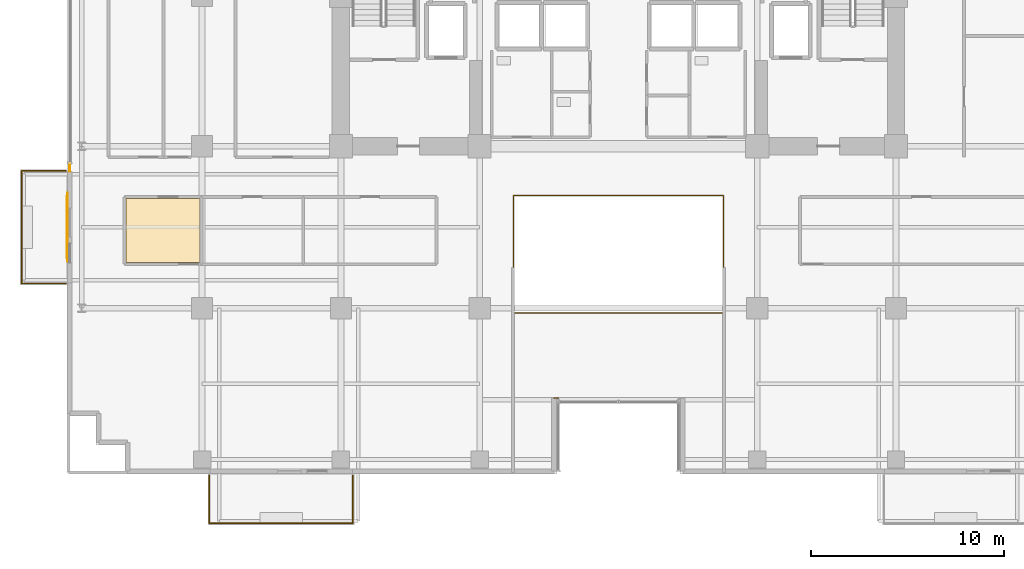
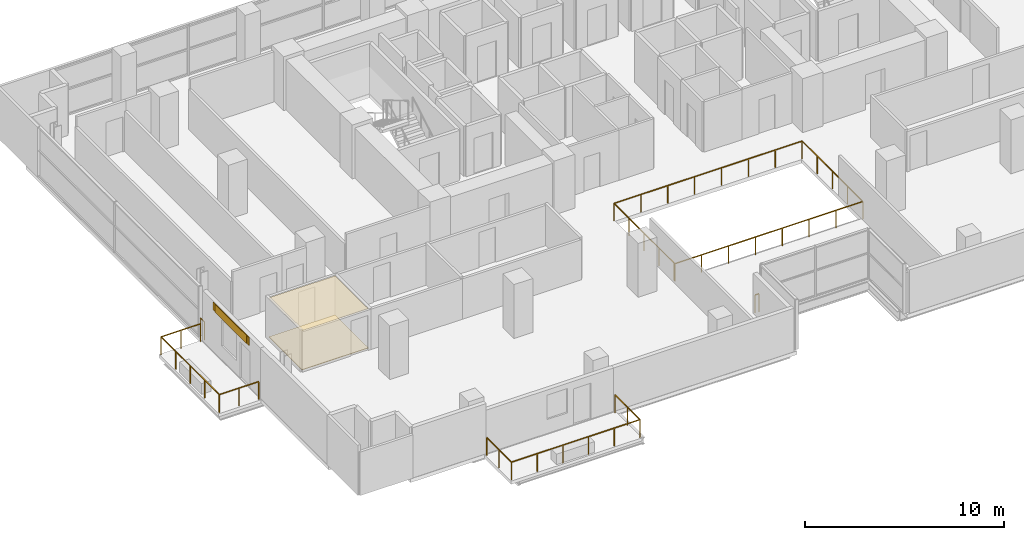
# One storey, part 28 of 31: 5 railings, 3 coverings, 1 shading device.
"""IFC4 building model written with IfcOpenShell, lengths in metres."""

from ifc_helpers import new_model, si_unit, direction, frame, origin, origin_2d, place, context, subcontext, project, spatial, polyline, rectangle, outline, extrude, source, transform, mapped, material, layer, layer_set, type_object, element, save


model = new_model("IFC4")

# Units and contexts
model_context = context("Model", 3, precision=1e-05, world=origin(), true_north=direction((0.0, 1.0)))
body_context = subcontext(model_context, "Body", "Model", "MODEL_VIEW")
ifc_project = project(units=[si_unit("LENGTHUNIT", "METRE"), si_unit("AREAUNIT", "SQUARE_METRE"), si_unit("VOLUMEUNIT", "CUBIC_METRE"), si_unit("PLANEANGLEUNIT", "RADIAN"), si_unit("MASSUNIT", "GRAM", prefix="KILO")], contexts=[model_context])

# Site, building, storey
site_placement = place(None, origin())
site = spatial("IfcSite", under=ifc_project, at=site_placement, CompositionType="ELEMENT")
building_placement = place(site_placement, origin())
building = spatial("IfcBuilding", under=site, at=building_placement, Name="Zarnakvel Exchange Tower", CompositionType="ELEMENT")
storey_placement = place(building_placement, frame((0.0, 0.0, 67.0)))
storey = spatial("IfcBuildingStorey", under=building, at=storey_placement, Name="L18", CompositionType="ELEMENT", Elevation=67.0)

# Coverings
ifc_material_1 = material(Name="Perforated Bronze Acoustic Metal Ceiling", Category="aluminium")
ifc_layer_1 = layer(ifc_material_1, 0.02001953125)
ifc_layer_set_1 = layer_set([ifc_layer_1], Name="Perforated Bronze Acoustic Metal Ceiling")
covering_type_1 = type_object("IfcCoveringType", Name="CLG-01", PredefinedType="CEILING", material=ifc_layer_set_1)
covering_1_placement = place(storey_placement, frame((0.0, 0.0, 2.405029296875)))
element("IfcCovering", 1, at=covering_1_placement, inside=storey, type_object=covering_type_1, Name="L18 Suspended Acoustic Ceiling (Asset Management Office)", PredefinedType="CEILING", context=body_context, shape_type="SweptSolid", body=[
    extrude(outline(polyline([(-25.54833984375, -3.909912109375), (-21.710205078125, -3.909912109375), (-21.710205078125, -7.239990234375), (-25.54833984375, -7.239990234375), (-25.54833984375, -3.909912109375)])), origin(), (0.0, 0.0, 1.0), 0.02001953125),
])
ifc_material_2 = material(Name="Heavy-Duty Raised Access Floor Panel", Category="steel")
ifc_layer_2 = layer(ifc_material_2, 0.034912109375)
ifc_layer_set_2 = layer_set([ifc_layer_2], Name="Heavy-Duty Raised Access Floor Panel")
covering_type_2 = type_object("IfcCoveringType", Name="FLR-02", PredefinedType="FLOORING", material=ifc_layer_set_2)
covering_2_placement = place(storey_placement, origin())
element("IfcCovering", 2, at=covering_2_placement, inside=storey, type_object=covering_type_2, Name="L18 Floor Finish (Asset Management Office)", PredefinedType="FLOORING", context=body_context, shape_type="SweptSolid", body=[
    extrude(outline(polyline([(-25.54833984375, -3.909912109375), (-21.710205078125, -3.909912109375), (-21.710205078125, -7.239990234375), (-25.54833984375, -7.239990234375), (-25.54833984375, -3.909912109375)])), origin(), (0.0, 0.0, 1.0), 0.034912109375),
])

# Railings
ifc_material_3 = material(Name="Architectural Bronze Anodised Aluminium", Category="aluminium")
railing_type_1 = type_object("IfcRailingType", Name="GR-02", PredefinedType="GUARDRAIL", material=ifc_material_3)
railing_1_placement = place(storey_placement, frame((-21.219970703125, -18.280029296875, -0.034912109375)))
element("IfcRailing", 3, at=railing_1_placement, inside=storey, type_object=railing_type_1, Name="L18 Balcony Guardrail BAL-L18-SW", PredefinedType="GUARDRAIL", context=body_context, shape_type="SweptSolid", body=[
    extrude(rectangle(XDim=0.048095703125, YDim=0.048095703125, at=origin_2d()), frame((0.0, 0.0, 1.09619140625), z_axis=(0.0, -1.0, 0.0), x_axis=(1.0, 0.0, 0.0)), (0.0, 0.0, 1.0), 2.489990234375),
    extrude(rectangle(XDim=0.048095703125, YDim=0.048095703125, at=origin_2d()), frame((0.0, -2.489990234375, 1.09619140625), z_axis=(1.0, 0.0, 0.0), x_axis=(0.0, 1.0, 0.0)), (0.0, 0.0, 1.0), 7.43994140625),
    extrude(rectangle(XDim=0.048095703125, YDim=0.048095703125, at=origin_2d()), frame((7.43994140625, -2.489990234375, 1.09619140625), z_axis=(0.0, 1.0, 0.0), x_axis=(-1.0, 0.0, 0.0)), (0.0, 0.0, 1.0), 2.489990234375),
    extrude(rectangle(XDim=0.0419921875, YDim=0.0419921875, at=origin_2d()), origin(), (0.0, 0.0, 1.0), 1.072021484375),
    extrude(rectangle(XDim=0.0419921875, YDim=0.0419921875, at=origin_2d()), frame((0.0, -1.2451171875, 0.0)), (0.0, 0.0, 1.0), 1.072021484375),
    extrude(rectangle(XDim=0.0419921875, YDim=0.0419921875, at=origin_2d()), frame((0.0, -2.489990234375, 0.0)), (0.0, 0.0, 1.0), 1.072021484375),
    extrude(rectangle(XDim=0.0419921875, YDim=0.0419921875, at=origin_2d()), frame((1.488037109375, -2.489990234375, 0.0)), (0.0, 0.0, 1.0), 1.072021484375),
    extrude(rectangle(XDim=0.0419921875, YDim=0.0419921875, at=origin_2d()), frame((2.97607421875, -2.489990234375, 0.0)), (0.0, 0.0, 1.0), 1.072021484375),
    extrude(rectangle(XDim=0.0419921875, YDim=0.0419921875, at=origin_2d()), frame((4.4638671875, -2.489990234375, 0.0)), (0.0, 0.0, 1.0), 1.072021484375),
    extrude(rectangle(XDim=0.0419921875, YDim=0.0419921875, at=origin_2d()), frame((5.951904296875, -2.489990234375, 0.0)), (0.0, 0.0, 1.0), 1.072021484375),
    extrude(rectangle(XDim=0.0419921875, YDim=0.0419921875, at=origin_2d()), frame((7.43994140625, -2.489990234375, 0.0)), (0.0, 0.0, 1.0), 1.072021484375),
    extrude(rectangle(XDim=0.0419921875, YDim=0.0419921875, at=origin_2d()), frame((7.43994140625, -1.2451171875, 0.0)), (0.0, 0.0, 1.0), 1.072021484375),
    extrude(rectangle(XDim=0.0419921875, YDim=0.0419921875, at=origin_2d()), frame((7.43994140625, 0.0, 0.0)), (0.0, 0.0, 1.0), 1.072021484375),
])
railing_2_placement = place(storey_placement, frame((-28.679931640625, -8.320068359375, -0.034912109375)))
element("IfcRailing", 4, at=railing_2_placement, inside=storey, type_object=railing_type_1, Name="L18 Balcony Guardrail BAL-L18-W", PredefinedType="GUARDRAIL", context=body_context, shape_type="SweptSolid", body=[
    extrude(rectangle(XDim=0.048095703125, YDim=0.048095703125, at=origin_2d()), frame((0.0, 0.0, 1.09619140625), z_axis=(-1.0, 0.0, 0.0), x_axis=(0.0, -1.0, 0.0)), (0.0, 0.0, 1.0), 2.2900390625),
    extrude(rectangle(XDim=0.048095703125, YDim=0.048095703125, at=origin_2d()), frame((-2.2900390625, 0.0, 1.09619140625), z_axis=(0.0, 1.0, 0.0), x_axis=(-1.0, 0.0, 0.0)), (0.0, 0.0, 1.0), 5.840087890625),
    extrude(rectangle(XDim=0.048095703125, YDim=0.048095703125, at=origin_2d()), frame((-2.2900390625, 5.840087890625, 1.09619140625), z_axis=(1.0, 0.0, 0.0), x_axis=(0.0, 1.0, 0.0)), (0.0, 0.0, 1.0), 2.2900390625),
    extrude(rectangle(XDim=0.0419921875, YDim=0.0419921875, at=origin_2d()), origin(), (0.0, 0.0, 1.0), 1.072021484375),
    extrude(rectangle(XDim=0.0419921875, YDim=0.0419921875, at=origin_2d()), frame((-1.14501953125, 0.0, 0.0)), (0.0, 0.0, 1.0), 1.072021484375),
    extrude(rectangle(XDim=0.0419921875, YDim=0.0419921875, at=origin_2d()), frame((-2.2900390625, 0.0, 0.0)), (0.0, 0.0, 1.0), 1.072021484375),
    extrude(rectangle(XDim=0.0419921875, YDim=0.0419921875, at=origin_2d()), frame((-2.2900390625, 1.4599609375, 0.0)), (0.0, 0.0, 1.0), 1.072021484375),
    extrude(rectangle(XDim=0.0419921875, YDim=0.0419921875, at=origin_2d()), frame((-2.2900390625, 2.919921875, 0.0)), (0.0, 0.0, 1.0), 1.072021484375),
    extrude(rectangle(XDim=0.0419921875, YDim=0.0419921875, at=origin_2d()), frame((-2.2900390625, 4.380126953125, 0.0)), (0.0, 0.0, 1.0), 1.072021484375),
    extrude(rectangle(XDim=0.0419921875, YDim=0.0419921875, at=origin_2d()), frame((-2.2900390625, 5.840087890625, 0.0)), (0.0, 0.0, 1.0), 1.072021484375),
    extrude(rectangle(XDim=0.0419921875, YDim=0.0419921875, at=origin_2d()), frame((-1.14501953125, 5.840087890625, 0.0)), (0.0, 0.0, 1.0), 1.072021484375),
    extrude(rectangle(XDim=0.0419921875, YDim=0.0419921875, at=origin_2d()), frame((0.0, 5.840087890625, 0.0)), (0.0, 0.0, 1.0), 1.072021484375),
])
railing_3_placement = place(storey_placement, frame((-28.4599609375, -2.5, 0.0)))
element("IfcRailing", 5, at=railing_3_placement, inside=storey, type_object=railing_type_1, Name="L18 Corner Spandrel Balustrade #2", PredefinedType="GUARDRAIL", context=body_context, shape_type="SweptSolid", body=[
    extrude(rectangle(XDim=0.048095703125, YDim=0.048095703125, at=origin_2d()), frame((0.0, 0.0, 1.09619140625), z_axis=(0.0, 1.0, 0.0), x_axis=(-1.0, 0.0, 0.0)), (0.0, 0.0, 1.0), 0.39990234375),
    extrude(rectangle(XDim=0.0419921875, YDim=0.0419921875, at=origin_2d()), origin(), (0.0, 0.0, 1.0), 1.072021484375),
    extrude(rectangle(XDim=0.0419921875, YDim=0.0419921875, at=origin_2d()), frame((0.0, 0.39990234375, 0.0)), (0.0, 0.0, 1.0), 1.072021484375),
])
railing_4_placement = place(storey_placement, frame((-3.1201171875, -14.260009765625, 0.0)))
element("IfcRailing", 6, at=railing_4_placement, inside=storey, type_object=railing_type_1, Name="L18 Corner Spandrel Balustrade #19", PredefinedType="GUARDRAIL", context=body_context, shape_type="SweptSolid", body=[
    extrude(rectangle(XDim=0.048095703125, YDim=0.048095703125, at=origin_2d()), frame((0.0, 0.0, 1.09619140625), z_axis=(-1.0, 0.0, 0.0), x_axis=(0.0, -1.0, 0.0)), (0.0, 0.0, 1.0), 0.219970703125),
    extrude(rectangle(XDim=0.0419921875, YDim=0.0419921875, at=origin_2d()), origin(), (0.0, 0.0, 1.0), 1.072021484375),
    extrude(rectangle(XDim=0.0419921875, YDim=0.0419921875, at=origin_2d()), frame((-0.219970703125, 0.0, 0.0)), (0.0, 0.0, 1.0), 1.072021484375),
])
railing_type_2 = type_object("IfcRailingType", Name="GR-03", PredefinedType="GUARDRAIL", material=ifc_material_3)
railing_5_placement = place(storey_placement, frame((-5.449951171875, -9.85009765625, 0.0)))
element("IfcRailing", 7, at=railing_5_placement, inside=storey, type_object=railing_type_2, Name="L18 Atrium Void Perimeter Balustrade", PredefinedType="GUARDRAIL", context=body_context, shape_type="SweptSolid", body=[
    extrude(rectangle(XDim=0.048095703125, YDim=0.048095703125, at=origin_2d()), frame((0.0, 0.0, 1.076171875), z_axis=(1.0, 0.0, 0.0), x_axis=(0.0, 1.0, 0.0)), (0.0, 0.0, 1.0), 10.89990234375),
    extrude(rectangle(XDim=0.048095703125, YDim=0.048095703125, at=origin_2d()), frame((10.89990234375, 0.0, 1.076171875), z_axis=(0.0, 1.0, 0.0), x_axis=(-1.0, 0.0, 0.0)), (0.0, 0.0, 1.0), 6.10009765625),
    extrude(rectangle(XDim=0.048095703125, YDim=0.048095703125, at=origin_2d()), frame((10.89990234375, 6.10009765625, 1.076171875), z_axis=(-1.0, 0.0, 0.0), x_axis=(0.0, -1.0, 0.0)), (0.0, 0.0, 1.0), 10.89990234375),
    extrude(rectangle(XDim=0.048095703125, YDim=0.048095703125, at=origin_2d()), frame((0.0, 6.10009765625, 1.076171875), z_axis=(0.0, -1.0, 0.0), x_axis=(1.0, 0.0, 0.0)), (0.0, 0.0, 1.0), 6.02001953125),
    extrude(rectangle(XDim=0.0419921875, YDim=0.0419921875, at=origin_2d()), origin(), (0.0, 0.0, 1.0), 1.052001953125),
    extrude(rectangle(XDim=0.0419921875, YDim=0.0419921875, at=origin_2d()), frame((1.55712890625, 0.0, 0.0)), (0.0, 0.0, 1.0), 1.052001953125),
    extrude(rectangle(XDim=0.0419921875, YDim=0.0419921875, at=origin_2d()), frame((3.1142578125, 0.0, 0.0)), (0.0, 0.0, 1.0), 1.052001953125),
    extrude(rectangle(XDim=0.0419921875, YDim=0.0419921875, at=origin_2d()), frame((4.67138671875, 0.0, 0.0)), (0.0, 0.0, 1.0), 1.052001953125),
    extrude(rectangle(XDim=0.0419921875, YDim=0.0419921875, at=origin_2d()), frame((6.228515625, 0.0, 0.0)), (0.0, 0.0, 1.0), 1.052001953125),
    extrude(rectangle(XDim=0.0419921875, YDim=0.0419921875, at=origin_2d()), frame((7.78564453125, 0.0, 0.0)), (0.0, 0.0, 1.0), 1.052001953125),
    extrude(rectangle(XDim=0.0419921875, YDim=0.0419921875, at=origin_2d()), frame((9.3427734375, 0.0, 0.0)), (0.0, 0.0, 1.0), 1.052001953125),
    extrude(rectangle(XDim=0.0419921875, YDim=0.0419921875, at=origin_2d()), frame((10.89990234375, 0.0, 0.0)), (0.0, 0.0, 1.0), 1.052001953125),
    extrude(rectangle(XDim=0.0419921875, YDim=0.0419921875, at=origin_2d()), frame((10.89990234375, 1.52490234375, 0.0)), (0.0, 0.0, 1.0), 1.052001953125),
    extrude(rectangle(XDim=0.0419921875, YDim=0.0419921875, at=origin_2d()), frame((10.89990234375, 3.050048828125, 0.0)), (0.0, 0.0, 1.0), 1.052001953125),
    extrude(rectangle(XDim=0.0419921875, YDim=0.0419921875, at=origin_2d()), frame((10.89990234375, 4.5751953125, 0.0)), (0.0, 0.0, 1.0), 1.052001953125),
    extrude(rectangle(XDim=0.0419921875, YDim=0.0419921875, at=origin_2d()), frame((10.89990234375, 6.10009765625, 0.0)), (0.0, 0.0, 1.0), 1.052001953125),
    extrude(rectangle(XDim=0.0419921875, YDim=0.0419921875, at=origin_2d()), frame((9.3427734375, 6.10009765625, 0.0)), (0.0, 0.0, 1.0), 1.052001953125),
    extrude(rectangle(XDim=0.0419921875, YDim=0.0419921875, at=origin_2d()), frame((7.78564453125, 6.10009765625, 0.0)), (0.0, 0.0, 1.0), 1.052001953125),
    extrude(rectangle(XDim=0.0419921875, YDim=0.0419921875, at=origin_2d()), frame((6.228515625, 6.10009765625, 0.0)), (0.0, 0.0, 1.0), 1.052001953125),
    extrude(rectangle(XDim=0.0419921875, YDim=0.0419921875, at=origin_2d()), frame((4.67138671875, 6.10009765625, 0.0)), (0.0, 0.0, 1.0), 1.052001953125),
    extrude(rectangle(XDim=0.0419921875, YDim=0.0419921875, at=origin_2d()), frame((3.1142578125, 6.10009765625, 0.0)), (0.0, 0.0, 1.0), 1.052001953125),
    extrude(rectangle(XDim=0.0419921875, YDim=0.0419921875, at=origin_2d()), frame((1.55712890625, 6.10009765625, 0.0)), (0.0, 0.0, 1.0), 1.052001953125),
    extrude(rectangle(XDim=0.0419921875, YDim=0.0419921875, at=origin_2d()), frame((0.0, 6.10009765625, 0.0)), (0.0, 0.0, 1.0), 1.052001953125),
    extrude(rectangle(XDim=0.0419921875, YDim=0.0419921875, at=origin_2d()), frame((0.0, 4.59521484375, 0.0)), (0.0, 0.0, 1.0), 1.052001953125),
    extrude(rectangle(XDim=0.0419921875, YDim=0.0419921875, at=origin_2d()), frame((0.0, 3.090087890625, 0.0)), (0.0, 0.0, 1.0), 1.052001953125),
    extrude(rectangle(XDim=0.0419921875, YDim=0.0419921875, at=origin_2d()), frame((0.0, 1.5849609375, 0.0)), (0.0, 0.0, 1.0), 1.052001953125),
    extrude(rectangle(XDim=0.0419921875, YDim=0.0419921875, at=origin_2d()), frame((0.0, 0.080078125, 0.0)), (0.0, 0.0, 1.0), 1.052001953125),
])

# Covering
ifc_material_4 = material(Name="Warm Sandstone Terracotta Spandrel Tile", Category="masonry")
ifc_layer_3 = layer(ifc_material_4, 0.031982421875)
ifc_layer_set_3 = layer_set([ifc_layer_3], Name="Warm Sandstone Terracotta Spandrel Tile")
covering_type_3 = type_object("IfcCoveringType", Name="CL-02", PredefinedType="CLADDING", material=ifc_layer_set_3)
shared_shape_1 = source(origin(), body_context, "Body", "SweptSolid", [
    extrude(rectangle(XDim=3.60009765625, YDim=0.031982421875, at=origin_2d()), origin(), (0.0, 0.0, 1.0), 0.4951171875),
])
covering_3_placement = place(storey_placement, frame((-28.593994140625, -5.39990234375, 2.56005859375), z_axis=(0.0, 0.0, 1.0), x_axis=(0.0, 1.0, 0.0)))
element("IfcCovering", 8, at=covering_3_placement, inside=storey, type_object=covering_type_3, Name="L18 Ceramic Spandrel Tilework CL-02", PredefinedType="CLADDING", context=body_context, shape_type="MappedRepresentation", body=[
    mapped(shared_shape_1, transform((0.0, 0.0, 0.0), x_axis=(1.0, 0.0, 0.0), y_axis=(0.0, 1.0, 0.0), z_axis=(0.0, 0.0, 1.0), scale=1.0)),
])

# Shading device
ifc_material_5 = material(Name="Perforated Architectural Bronze Screen", Category="aluminium")
ifc_layer_4 = layer(ifc_material_5, 0.044921875)
ifc_layer_set_4 = layer_set([ifc_layer_4], Name="Perforated Architectural Bronze Screen")
shading_device_type = type_object("IfcShadingDeviceType", Name="SS-01", PredefinedType="JALOUSIE", material=ifc_layer_set_4)
shared_shape_2 = source(origin(), body_context, "Body", "SweptSolid", [
    extrude(rectangle(XDim=3.199951171875, YDim=0.044921875, at=origin_2d()), origin(), (0.0, 0.0, 1.0), 0.4951171875),
])
shading_device_placement = place(storey_placement, frame((-28.6005859375, -5.39990234375, 2.56005859375), z_axis=(0.0, 0.0, 1.0), x_axis=(0.0, 1.0, 0.0)))
element("IfcShadingDevice", 9, at=shading_device_placement, inside=storey, type_object=shading_device_type, Name="L18 Bronze Solar Shading Screen SS-01", PredefinedType="JALOUSIE", context=body_context, shape_type="MappedRepresentation", body=[
    mapped(shared_shape_2, transform((0.0, 0.0, 0.0), x_axis=(1.0, 0.0, 0.0), y_axis=(0.0, 1.0, 0.0), z_axis=(0.0, 0.0, 1.0), scale=1.0)),
])

save(model, "model.ifc")
